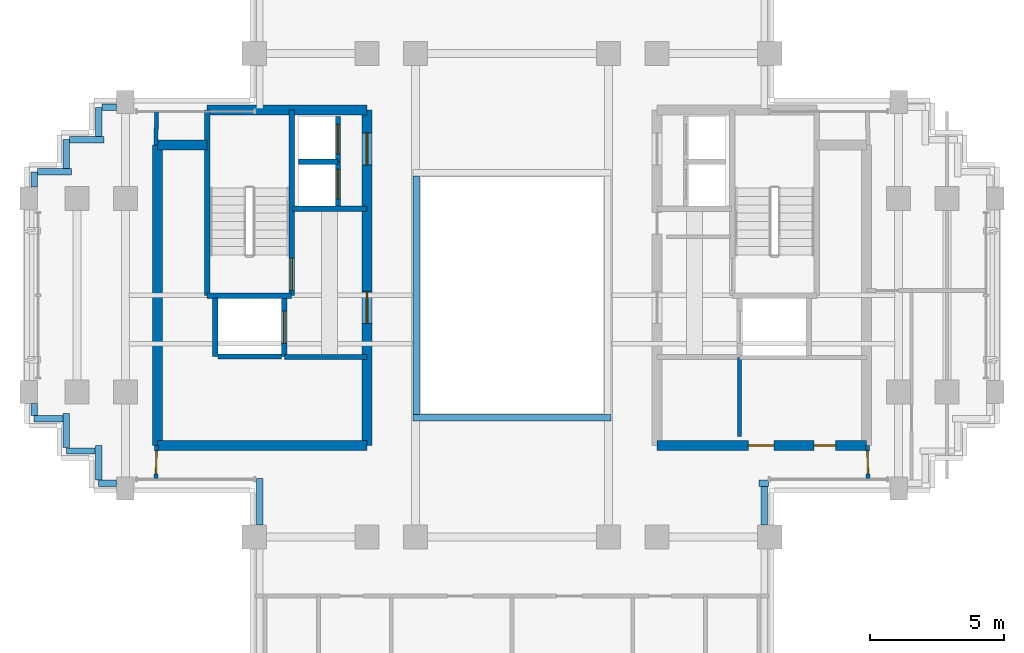
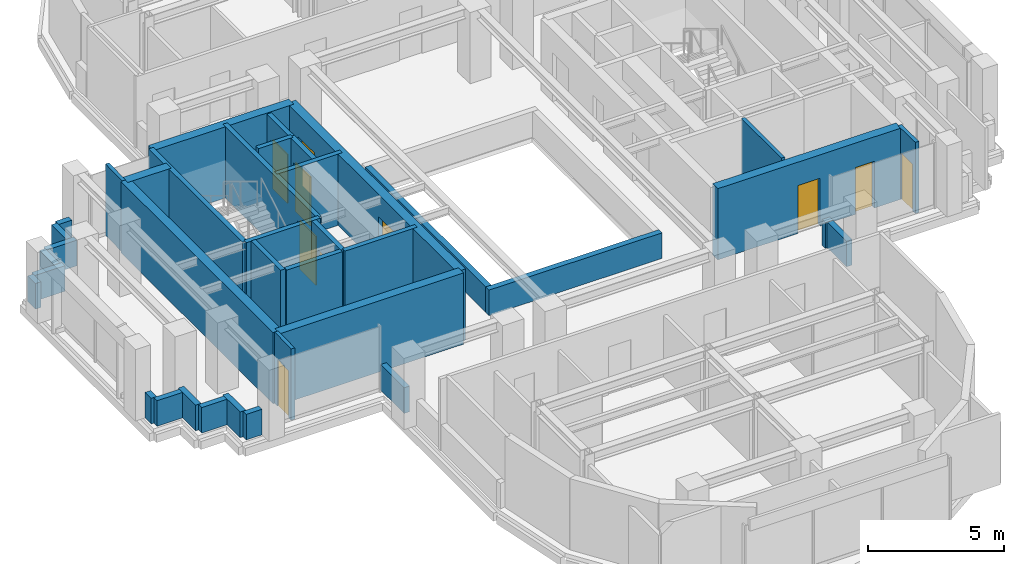
# One storey, part 6 of 11: 38 walls, 10 doors, 10 openings.
"""IFC4 building model written with IfcOpenShell, lengths in metres."""

from ifc_helpers import new_model, si_unit, direction, frame, frame_2d, origin, place, context, subcontext, project, spatial, rectangle, extrude, source, transform, mapped, material, layer, layer_set, type_object, element, fill, save


model = new_model("IFC4")

# Units and contexts
model_context = context("Model", 3, precision=1e-05, world=origin(), true_north=direction((0.0, 1.0)))
body_context = subcontext(model_context, "Body", "Model", "MODEL_VIEW")
ifc_project = project(units=[si_unit("LENGTHUNIT", "METRE"), si_unit("AREAUNIT", "SQUARE_METRE"), si_unit("VOLUMEUNIT", "CUBIC_METRE"), si_unit("PLANEANGLEUNIT", "RADIAN"), si_unit("MASSUNIT", "GRAM", prefix="KILO")], contexts=[model_context])

# Site, building, storey
site_placement = place(None, origin())
site = spatial("IfcSite", under=ifc_project, at=site_placement, CompositionType="ELEMENT")
building_placement = place(site_placement, origin())
building = spatial("IfcBuilding", under=site, at=building_placement, Name="Keilestroom Media Tower", CompositionType="ELEMENT")
storey_placement = place(building_placement, frame((0.0, 0.0, 197.800048828125)))
storey = spatial("IfcBuildingStorey", under=building, at=storey_placement, Name="L54", CompositionType="ELEMENT", Elevation=197.800048828125)

# Walls
ifc_material_1 = material(Name="Gypsum Plasterboard & Steel Stud", Category="steel")
ifc_layer_1 = layer(ifc_material_1, 0.14990234375)
ifc_layer_set_1 = layer_set([ifc_layer_1], Name="Gypsum Plasterboard & Steel Stud")
wall_type_1 = type_object("IfcWallType", Name="Interior-Partition-Wall-150", PredefinedType="PARTITIONING", material=ifc_layer_set_1)
wall_1_placement = place(storey_placement, frame((8.47998046875, -5.260009765625, 0.0), z_axis=(0.0, 0.0, 1.0), x_axis=(0.0, 1.0, 0.0)))
element("IfcWall", 1, at=wall_1_placement, inside=storey, type_object=wall_type_1, Name="L54 Interior Wall WP-L54-RECME-W", PredefinedType="PARTITIONING", context=body_context, shape_type="SweptSolid", body=[
    extrude(rectangle(XDim=2.93994140625, YDim=0.14990234375, at=frame_2d((1.469970703125, 0.0))), origin(), (0.0, 0.0, 1.0), 3.199951171875),
])
wall_2_placement = place(storey_placement, frame((-13.260009765625, 5.60009765625, 0.0), z_axis=(0.0, 0.0, 1.0), x_axis=(0.016013571389, 0.999871774545, 0.0)))
element("IfcWall", 2, at=wall_2_placement, inside=storey, type_object=wall_type_1, Name="L54 Interior Wall WP-L54-HDINE-ENTN", PredefinedType="PARTITIONING", context=body_context, shape_type="SweptSolid", body=[
    extrude(rectangle(XDim=1.250244140625, YDim=0.14990234375, at=frame_2d((0.625, 0.0))), origin(), (0.0, 0.0, 1.0), 3.199951171875),
])

# Wall, opening, door
wall_3_placement = place(storey_placement, frame((-13.260009765625, -6.85009765625, 0.0), z_axis=(0.0, 0.0, 1.0), x_axis=(0.016013571389, 0.999871774545, 0.0)))
wall_3 = element("IfcWall", 3, at=wall_3_placement, inside=storey, type_object=wall_type_1, Name="L54 Interior Wall WP-L54-HDINE-ENTS", PredefinedType="PARTITIONING", context=body_context, shape_type="SweptSolid", body=[
    extrude(rectangle(XDim=1.250244140625, YDim=0.14990234375, at=frame_2d((0.625, 0.0))), origin(), (0.0, 0.0, 1.0), 3.199951171875),
])
opening_1_placement = place(wall_3_placement, frame((0.199951171875, 0.0, 0.0)))
opening_1 = element("IfcOpeningElement", 4, at=opening_1_placement, cuts=wall_3, Name="Opening DI-05", PredefinedType="OPENING", context=body_context, shape_type="SweptSolid", body=[
    extrude(rectangle(XDim=0.85009765625, YDim=2.10009765625, at=frame_2d((0.425048828125, 1.050048828125))), frame((0.0, 0.0849609375, 0.0), z_axis=(0.0, -1.0, 0.0), x_axis=(1.0, 0.0, 0.0)), (0.0, 0.0, 1.0), 0.169921875),
])
ifc_material_2 = material(Name="Moisture-Resistant Oak Leaf", Category="wood")
door_type_1 = type_object("IfcDoorType", Name="Interior-En-Suite-And-Cupboard-Door-DI-05", OperationType="NOTDEFINED", PredefinedType="DOOR", material=ifc_material_2)
shared_shape_1 = source(origin(), body_context, "Body", "SweptSolid", [
    extrude(rectangle(XDim=0.85009765625, YDim=2.10009765625, at=frame_2d((0.425048828125, 1.050048828125))), frame((0.0, 0.02490234375, 0.0), z_axis=(0.0, -1.0, 0.0), x_axis=(1.0, 0.0, 0.0)), (0.0, 0.0, 1.0), 0.050048828125),
])
door_1_placement = place(opening_1_placement, origin())
door_1 = element("IfcDoor", 5, at=door_1_placement, inside=storey, type_object=door_type_1, Name="L54 Interior Door DI-L54-DDINE-W", OperationType="SINGLE_SWING_RIGHT", OverallHeight=2.10009765625, OverallWidth=0.85009765625, PredefinedType="DOOR", context=body_context, shape_type="MappedRepresentation", body=[
    mapped(shared_shape_1, transform((0.0, 0.0, 0.0), x_axis=(1.0, 0.0, 0.0), y_axis=(0.0, 1.0, 0.0), z_axis=(0.0, 0.0, 1.0), scale=1.0)),
])
fill(opening_1, door_1)

wall_4_placement = place(storey_placement, frame((13.260009765625, -6.85009765625, 0.0), z_axis=(0.0, 0.0, 1.0), x_axis=(-0.016013571389, 0.999871774545, 0.0)))
wall_4 = element("IfcWall", 6, at=wall_4_placement, inside=storey, type_object=wall_type_1, Name="L54 Interior Wall WP-L54-HGYM-ENTS", PredefinedType="PARTITIONING", context=body_context, shape_type="SweptSolid", body=[
    extrude(rectangle(XDim=1.250244140625, YDim=0.14990234375, at=frame_2d((0.625, 0.0))), origin(), (0.0, 0.0, 1.0), 3.199951171875),
])
opening_2_placement = place(wall_4_placement, frame((0.199951171875, 0.0, 0.0)))
opening_2 = element("IfcOpeningElement", 7, at=opening_2_placement, cuts=wall_4, Name="Opening DI-05", PredefinedType="OPENING", context=body_context, shape_type="SweptSolid", body=[
    extrude(rectangle(XDim=0.85009765625, YDim=2.10009765625, at=frame_2d((0.425048828125, 1.050048828125))), frame((0.0, 0.0849609375, 0.0), z_axis=(0.0, -1.0, 0.0), x_axis=(1.0, 0.0, 0.0)), (0.0, 0.0, 1.0), 0.169921875),
])
door_2_placement = place(opening_2_placement, origin())
door_2 = element("IfcDoor", 8, at=door_2_placement, inside=storey, type_object=door_type_1, Name="L54 Interior Door DI-L54-DHGYM-ENTS", OperationType="SINGLE_SWING_LEFT", OverallHeight=2.10009765625, OverallWidth=0.85009765625, PredefinedType="DOOR", context=body_context, shape_type="MappedRepresentation", body=[
    mapped(shared_shape_1, transform((0.0, 0.0, 0.0), x_axis=(1.0, 0.0, 0.0), y_axis=(0.0, 1.0, 0.0), z_axis=(0.0, 0.0, 1.0), scale=1.0)),
])
fill(opening_2, door_2)

# Wall
ifc_material_3 = material(Name="Concrete C55/67", Category="concrete")
ifc_layer_2 = layer(ifc_material_3, 0.3798828125)
ifc_layer_set_2 = layer_set([ifc_layer_2], Name="Concrete C55/67")
wall_type_2 = type_object("IfcWallType", Name="Reinforced-Concrete-Core-Shear-Wall-380", PredefinedType="SHEAR", material=ifc_layer_set_2)
wall_5_placement = place(storey_placement, frame((-13.199951171875, -5.60009765625, 0.0), z_axis=(0.0, 0.0, 1.0), x_axis=(0.0, 1.0, 0.0)))
element("IfcWall", 9, at=wall_5_placement, inside=storey, type_object=wall_type_2, Name="L54 Core Shear Wall WL-L54-CORE-W-OUT", PredefinedType="SHEAR", context=body_context, shape_type="SweptSolid", body=[
    extrude(rectangle(XDim=11.2001953125, YDim=0.3798828125, at=frame_2d((5.60009765625, 0.0))), origin(), (0.0, 0.0, 1.0), 3.199951171875),
])

# Wall, openings, doors
wall_6_placement = place(storey_placement, frame((-5.39990234375, -5.60009765625, 0.0), z_axis=(0.0, 0.0, 1.0), x_axis=(0.0, 1.0, 0.0)))
wall_6 = element("IfcWall", 10, at=wall_6_placement, inside=storey, type_object=wall_type_2, Name="L54 Core Shear Wall WL-L54-CORE-W-IN", PredefinedType="SHEAR", context=body_context, shape_type="SweptSolid", body=[
    extrude(rectangle(XDim=12.5, YDim=0.3798828125, at=frame_2d((6.25, 0.0))), origin(), (0.0, 0.0, 1.0), 3.199951171875),
])
opening_3_placement = place(wall_6_placement, frame((4.550048828125, 0.0, 0.0)))
opening_3 = element("IfcOpeningElement", 11, at=opening_3_placement, cuts=wall_6, Name="Opening DI-02", PredefinedType="OPENING", context=body_context, shape_type="SweptSolid", body=[
    extrude(rectangle(XDim=1.199951171875, YDim=2.199951171875, at=frame_2d((0.60009765625, 1.10009765625))), frame((0.0, 0.199951171875, 0.0), z_axis=(0.0, -1.0, 0.0), x_axis=(1.0, 0.0, 0.0)), (0.0, 0.0, 1.0), 0.39990234375),
])
opening_4_placement = place(wall_6_placement, frame((10.449951171875, 0.0, 0.0)))
opening_4 = element("IfcOpeningElement", 12, at=opening_4_placement, cuts=wall_6, Name="Opening DI-02", PredefinedType="OPENING", context=body_context, shape_type="SweptSolid", body=[
    extrude(rectangle(XDim=1.199951171875, YDim=2.199951171875, at=frame_2d((0.60009765625, 1.10009765625))), frame((0.0, 0.199951171875, 0.0), z_axis=(0.0, -1.0, 0.0), x_axis=(1.0, 0.0, 0.0)), (0.0, 0.0, 1.0), 0.39990234375),
])
ifc_material_4 = material(Name="Powder-Coated Steel Fire Leaf", Category="steel")
door_type_2 = type_object("IfcDoorType", Name="Interior-Compartment-Fire-Door-DI-02", OperationType="NOTDEFINED", PredefinedType="DOOR", material=ifc_material_4)
shared_shape_2 = source(origin(), body_context, "Body", "SweptSolid", [
    extrude(rectangle(XDim=1.199951171875, YDim=2.199951171875, at=frame_2d((0.60009765625, 1.10009765625))), frame((0.0, 0.02490234375, 0.0), z_axis=(0.0, -1.0, 0.0), x_axis=(1.0, 0.0, 0.0)), (0.0, 0.0, 1.0), 0.050048828125),
])
door_3_placement = place(opening_3_placement, origin())
door_3 = element("IfcDoor", 13, at=door_3_placement, inside=storey, type_object=door_type_2, Name="L54 W Firefighting Lobby Door", OperationType="SINGLE_SWING_RIGHT", OverallHeight=2.199951171875, OverallWidth=1.199951171875, PredefinedType="DOOR", context=body_context, shape_type="MappedRepresentation", body=[
    mapped(shared_shape_2, transform((0.0, 0.0, 0.0), x_axis=(1.0, 0.0, 0.0), y_axis=(0.0, 1.0, 0.0), z_axis=(0.0, 0.0, 1.0), scale=1.0)),
])
fill(opening_3, door_3)
door_4_placement = place(opening_4_placement, origin())
door_4 = element("IfcDoor", 14, at=door_4_placement, inside=storey, type_object=door_type_2, Name="L54 W High-Rise Lift Lobby Door", OperationType="SINGLE_SWING_LEFT", OverallHeight=2.199951171875, OverallWidth=1.199951171875, PredefinedType="DOOR", context=body_context, shape_type="MappedRepresentation", body=[
    mapped(shared_shape_2, transform((0.0, 0.0, 0.0), x_axis=(1.0, 0.0, 0.0), y_axis=(0.0, 1.0, 0.0), z_axis=(0.0, 0.0, 1.0), scale=1.0)),
])
fill(opening_4, door_4)

# Walls
wall_7_placement = place(storey_placement, frame((-11.35595703125, 6.89990234375, 0.0), z_axis=(0.0, 0.0, 1.0), x_axis=(1.0, 0.0, 0.0)))
element("IfcWall", 15, at=wall_7_placement, inside=storey, type_object=wall_type_2, Name="L54 Core Shear Wall WL-L54-CORE-W-N", PredefinedType="SHEAR", context=body_context, shape_type="SweptSolid", body=[
    extrude(rectangle(XDim=5.9560546875, YDim=0.3798828125, at=frame_2d((2.97802734375, 0.0))), origin(), (0.0, 0.0, 1.0), 3.199951171875),
])
wall_8_placement = place(storey_placement, frame((-13.199951171875, 5.60009765625, 0.0), z_axis=(0.0, 0.0, 1.0), x_axis=(1.0, 0.0, 0.0)))
element("IfcWall", 16, at=wall_8_placement, inside=storey, type_object=wall_type_2, Name="L54 Core Shear Wall WL-L54-CNW-N", PredefinedType="SHEAR", context=body_context, shape_type="SweptSolid", body=[
    extrude(rectangle(XDim=1.843994140625, YDim=0.3798828125, at=frame_2d((0.921875, 0.0))), origin(), (0.0, 0.0, 1.0), 3.199951171875),
])
wall_9_placement = place(storey_placement, frame((-13.199951171875, -5.60009765625, 0.0), z_axis=(0.0, 0.0, 1.0), x_axis=(1.0, 0.0, 0.0)))
element("IfcWall", 17, at=wall_9_placement, inside=storey, type_object=wall_type_2, Name="L54 Core Shear Wall WL-L54-CORE-W-S", PredefinedType="SHEAR", context=body_context, shape_type="SweptSolid", body=[
    extrude(rectangle(XDim=7.800048828125, YDim=0.3798828125, at=frame_2d((3.89990234375, 0.0))), origin(), (0.0, 0.0, 1.0), 3.199951171875),
])

# Wall, openings, doors
wall_10_placement = place(storey_placement, frame((5.39990234375, -5.60009765625, 0.0), z_axis=(0.0, 0.0, 1.0), x_axis=(1.0, 0.0, 0.0)))
wall_10 = element("IfcWall", 18, at=wall_10_placement, inside=storey, type_object=wall_type_2, Name="L54 Core Shear Wall WL-L54-CORE-E-S", PredefinedType="SHEAR", context=body_context, shape_type="SweptSolid", body=[
    extrude(rectangle(XDim=7.800048828125, YDim=0.3798828125, at=frame_2d((3.89990234375, 0.0))), origin(), (0.0, 0.0, 1.0), 3.199951171875),
])
opening_5_placement = place(wall_10_placement, frame((5.85009765625, 0.0, 0.0)))
opening_5 = element("IfcOpeningElement", 19, at=opening_5_placement, cuts=wall_10, Name="Opening DI-06", PredefinedType="OPENING", context=body_context, shape_type="SweptSolid", body=[
    extrude(rectangle(XDim=0.800048828125, YDim=2.10009765625, at=frame_2d((0.39990234375, 1.050048828125))), frame((0.0, 0.199951171875, 0.0), z_axis=(0.0, -1.0, 0.0), x_axis=(1.0, 0.0, 0.0)), (0.0, 0.0, 1.0), 0.39990234375),
])
opening_6_placement = place(wall_10_placement, frame((3.39990234375, 0.0, 0.0)))
opening_6 = element("IfcOpeningElement", 20, at=opening_6_placement, cuts=wall_10, Name="Opening DI-03", PredefinedType="OPENING", context=body_context, shape_type="SweptSolid", body=[
    extrude(rectangle(XDim=0.949951171875, YDim=2.14990234375, at=frame_2d((0.47509765625, 1.074951171875))), frame((0.0, 0.199951171875, 0.0), z_axis=(0.0, -1.0, 0.0), x_axis=(1.0, 0.0, 0.0)), (0.0, 0.0, 1.0), 0.39990234375),
])
ifc_material_5 = material(Name="Powder-Coated Steel Service Leaf", Category="steel")
door_type_3 = type_object("IfcDoorType", Name="Interior-Riser-Access-Door-DI-06", OperationType="NOTDEFINED", PredefinedType="DOOR", material=ifc_material_5)
shared_shape_3 = source(origin(), body_context, "Body", "SweptSolid", [
    extrude(rectangle(XDim=0.800048828125, YDim=2.10009765625, at=frame_2d((0.39990234375, 1.050048828125))), frame((0.0, 0.02490234375, 0.0), z_axis=(0.0, -1.0, 0.0), x_axis=(1.0, 0.0, 0.0)), (0.0, 0.0, 1.0), 0.050048828125),
])
door_5_placement = place(opening_5_placement, origin())
door_5 = element("IfcDoor", 21, at=door_5_placement, inside=storey, type_object=door_type_3, Name="L54 Reclaimed East Core Room Door", OperationType="SINGLE_SWING_RIGHT", OverallHeight=2.10009765625, OverallWidth=0.800048828125, PredefinedType="DOOR", context=body_context, shape_type="MappedRepresentation", body=[
    mapped(shared_shape_3, transform((0.0, 0.0, 0.0), x_axis=(1.0, 0.0, 0.0), y_axis=(0.0, 1.0, 0.0), z_axis=(0.0, 0.0, 1.0), scale=1.0)),
])
fill(opening_5, door_5)
ifc_material_6 = material(Name="Lacquered European Oak Leaf", Category="wood")
door_type_4 = type_object("IfcDoorType", Name="Interior-Room-And-Suite-Door-DI-03", OperationType="NOTDEFINED", PredefinedType="DOOR", material=ifc_material_6)
shared_shape_4 = source(origin(), body_context, "Body", "SweptSolid", [
    extrude(rectangle(XDim=0.949951171875, YDim=2.14990234375, at=frame_2d((0.47509765625, 1.074951171875))), frame((0.0, 0.02490234375, 0.0), z_axis=(0.0, -1.0, 0.0), x_axis=(1.0, 0.0, 0.0)), (0.0, 0.0, 1.0), 0.050048828125),
])
door_6_placement = place(opening_6_placement, origin())
door_6 = element("IfcDoor", 22, at=door_6_placement, inside=storey, type_object=door_type_4, Name="L54 Reclaimed Mid East Room Door", OperationType="SINGLE_SWING_RIGHT", OverallHeight=2.14990234375, OverallWidth=0.949951171875, PredefinedType="DOOR", context=body_context, shape_type="MappedRepresentation", body=[
    mapped(shared_shape_4, transform((0.0, 0.0, 0.0), x_axis=(1.0, 0.0, 0.0), y_axis=(0.0, 1.0, 0.0), z_axis=(0.0, 0.0, 1.0), scale=1.0)),
])
fill(opening_6, door_6)

# Walls
ifc_material_7 = material(Name="Concrete C50/60", Category="concrete")
ifc_layer_3 = layer(ifc_material_7, 0.199951171875)
ifc_layer_set_3 = layer_set([ifc_layer_3], Name="Concrete C50/60")
wall_type_3 = type_object("IfcWallType", Name="Reinforced-Concrete-Shaft-Wall-200", PredefinedType="SOLIDWALL", material=ifc_layer_set_3)
wall_11_placement = place(storey_placement, frame((-8.179931640625, 3.219970703125, 0.0), z_axis=(0.0, 0.0, 1.0), x_axis=(1.0, 0.0, 0.0)))
element("IfcWall", 23, at=wall_11_placement, inside=storey, type_object=wall_type_3, Name="L54 Core Shear Wall WL-L54-CORE-W-FFN", PredefinedType="SOLIDWALL", context=body_context, shape_type="SweptSolid", body=[
    extrude(rectangle(XDim=2.780029296875, YDim=0.199951171875, at=frame_2d((1.39013671875, 0.0))), origin(), (0.0, 0.0, 1.0), 3.199951171875),
])
wall_12_placement = place(storey_placement, frame((-8.47998046875, -2.300048828125, 0.0), z_axis=(0.0, 0.0, 1.0), x_axis=(1.0, 0.0, 0.0)))
element("IfcWall", 24, at=wall_12_placement, inside=storey, type_object=wall_type_3, Name="L54 Core Shear Wall WL-L54-CORE-W-FFS", PredefinedType="SOLIDWALL", context=body_context, shape_type="SweptSolid", body=[
    extrude(rectangle(XDim=3.080078125, YDim=0.199951171875, at=frame_2d((1.5400390625, 0.0))), origin(), (0.0, 0.0, 1.0), 3.199951171875),
])

# Wall, opening, door
wall_13_placement = place(storey_placement, frame((-8.2041015625, -0.01611328125, 0.0), z_axis=(0.0, 0.0, 1.0), x_axis=(0.0, 1.0, 0.0)))
wall_13 = element("IfcWall", 25, at=wall_13_placement, inside=storey, type_object=wall_type_3, Name="L54 Core Shear Wall WL-L54-STW-W-NEAR", PredefinedType="SOLIDWALL", context=body_context, shape_type="SweptSolid", body=[
    extrude(rectangle(XDim=6.916015625, YDim=0.199951171875, at=frame_2d((3.4580078125, 0.0))), origin(), (0.0, 0.0, 1.0), 3.199951171875),
])
opening_7_placement = place(wall_13_placement, frame((0.199951171875, 0.0, 0.0)))
opening_7 = element("IfcOpeningElement", 26, at=opening_7_placement, cuts=wall_13, Name="Opening DI-01S", PredefinedType="OPENING", context=body_context, shape_type="SweptSolid", body=[
    extrude(rectangle(XDim=1.199951171875, YDim=2.199951171875, at=frame_2d((0.60009765625, 1.10009765625))), frame((0.0, 0.10986328125, 0.0), z_axis=(0.0, -1.0, 0.0), x_axis=(1.0, 0.0, 0.0)), (0.0, 0.0, 1.0), 0.219970703125),
])
door_type_5 = type_object("IfcDoorType", Name="Interior-Stair-And-Core-Fire-Door-DI-01", OperationType="NOTDEFINED", PredefinedType="DOOR", material=ifc_material_4)
door_7_placement = place(opening_7_placement, origin())
door_7 = element("IfcDoor", 27, at=door_7_placement, inside=storey, type_object=door_type_5, Name="L54 Escape Stair ST-1 Fire Door", OperationType="SINGLE_SWING_LEFT", OverallHeight=2.199951171875, OverallWidth=1.199951171875, PredefinedType="DOOR", context=body_context, shape_type="MappedRepresentation", body=[
    mapped(shared_shape_2, transform((0.0, 0.0, 0.0), x_axis=(1.0, 0.0, 0.0), y_axis=(0.0, 1.0, 0.0), z_axis=(0.0, 0.0, 1.0), scale=1.0)),
])
fill(opening_7, door_7)

# Walls
wall_14_placement = place(storey_placement, frame((-11.35595703125, -0.01611328125, 0.0), z_axis=(0.0, 0.0, 1.0), x_axis=(0.0, 1.0, 0.0)))
element("IfcWall", 28, at=wall_14_placement, inside=storey, type_object=wall_type_3, Name="L54 Core Shear Wall WL-L54-STW-W-FAR", PredefinedType="SOLIDWALL", context=body_context, shape_type="SweptSolid", body=[
    extrude(rectangle(XDim=6.916015625, YDim=0.199951171875, at=frame_2d((3.4580078125, 0.0))), origin(), (0.0, 0.0, 1.0), 3.199951171875),
])
wall_15_placement = place(storey_placement, frame((-11.35595703125, -0.01611328125, 0.0), z_axis=(0.0, 0.0, 1.0), x_axis=(1.0, 0.0, 0.0)))
element("IfcWall", 29, at=wall_15_placement, inside=storey, type_object=wall_type_3, Name="L54 Core Shear Wall WL-L54-STW-W-S", PredefinedType="SOLIDWALL", context=body_context, shape_type="SweptSolid", body=[
    extrude(rectangle(XDim=3.15185546875, YDim=0.199951171875, at=frame_2d((1.575927734375, 0.0))), origin(), (0.0, 0.0, 1.0), 3.199951171875),
])
wall_16_placement = place(storey_placement, frame((-11.050048828125, -2.280029296875, 0.0), z_axis=(0.0, 0.0, 1.0), x_axis=(0.0, 1.0, 0.0)))
element("IfcWall", 30, at=wall_16_placement, inside=storey, type_object=wall_type_3, Name="L54 Core Shear Wall WL-L54-LSH-FFL-1-W", PredefinedType="SOLIDWALL", context=body_context, shape_type="SweptSolid", body=[
    extrude(rectangle(XDim=2.179931640625, YDim=0.199951171875, at=frame_2d((1.08984375, 0.0))), origin(), (0.0, 0.0, 1.0), 3.199951171875),
])

# Wall, opening, door
wall_17_placement = place(storey_placement, frame((-8.47998046875, -2.280029296875, 0.0), z_axis=(0.0, 0.0, 1.0), x_axis=(0.0, 1.0, 0.0)))
wall_17 = element("IfcWall", 31, at=wall_17_placement, inside=storey, type_object=wall_type_3, Name="L54 Core Shear Wall WL-L54-LSH-FFL-1-E", PredefinedType="SOLIDWALL", context=body_context, shape_type="SweptSolid", body=[
    extrude(rectangle(XDim=2.179931640625, YDim=0.199951171875, at=frame_2d((1.08984375, 0.0))), origin(), (0.0, 0.0, 1.0), 3.199951171875),
])
opening_8_placement = place(wall_17_placement, frame((0.489990234375, 0.0, 0.0)))
opening_8 = element("IfcOpeningElement", 32, at=opening_8_placement, cuts=wall_17, Name="Opening LD-02", PredefinedType="OPENING", context=body_context, shape_type="SweptSolid", body=[
    extrude(rectangle(XDim=1.199951171875, YDim=2.199951171875, at=frame_2d((0.60009765625, 1.10009765625))), frame((0.0, 0.10986328125, 0.0), z_axis=(0.0, -1.0, 0.0), x_axis=(1.0, 0.0, 0.0)), (0.0, 0.0, 1.0), 0.219970703125),
])
ifc_material_8 = material(Name="Brushed Stainless Steel Sliding Leaf", Category="steel")
door_type_6 = type_object("IfcDoorType", Name="Lift-Landing-Sliding-Door-LD-02", OperationType="SLIDING_TO_RIGHT", PredefinedType="DOOR", material=ifc_material_8)
door_8_placement = place(opening_8_placement, origin())
door_8 = element("IfcDoor", 33, at=door_8_placement, inside=storey, type_object=door_type_6, Name="L54 Lift FFL-1 Landing Sliding Door", OperationType="SLIDING_TO_RIGHT", OverallHeight=2.199951171875, OverallWidth=1.199951171875, PredefinedType="DOOR", context=body_context, shape_type="MappedRepresentation", body=[
    mapped(shared_shape_2, transform((0.0, 0.0, 0.0), x_axis=(1.0, 0.0, 0.0), y_axis=(0.0, 1.0, 0.0), z_axis=(0.0, 0.0, 1.0), scale=1.0)),
])
fill(opening_8, door_8)

# Wall
wall_18_placement = place(storey_placement, frame((-10.946044921875, -2.280029296875, 0.0), z_axis=(0.0, 0.0, 1.0), x_axis=(1.0, 0.0, 0.0)))
element("IfcWall", 34, at=wall_18_placement, inside=storey, type_object=wall_type_3, Name="L54 Core Shear Wall WL-L54-LSH-FFL-1-S", PredefinedType="SOLIDWALL", context=body_context, shape_type="SweptSolid", body=[
    extrude(rectangle(XDim=2.362060546875, YDim=0.199951171875, at=frame_2d((1.18115234375, 0.0))), origin(), (0.0, 0.0, 1.0), 3.199951171875),
])

# Wall, opening, door
wall_19_placement = place(storey_placement, frame((-6.47998046875, 3.300048828125, 0.0), z_axis=(0.0, 0.0, 1.0), x_axis=(0.0, 1.0, 0.0)))
wall_19 = element("IfcWall", 35, at=wall_19_placement, inside=storey, type_object=wall_type_3, Name="L54 Core Shear Wall WL-L54-LSH-PL-H1-E", PredefinedType="SOLIDWALL", context=body_context, shape_type="SweptSolid", body=[
    extrude(rectangle(XDim=1.679931640625, YDim=0.199951171875, at=frame_2d((0.83984375, 0.0))), origin(), (0.0, 0.0, 1.0), 3.199951171875),
])
opening_9_placement = place(wall_19_placement, frame((0.2900390625, 0.0, 0.0)))
opening_9 = element("IfcOpeningElement", 36, at=opening_9_placement, cuts=wall_19, Name="Opening LD-01", PredefinedType="OPENING", context=body_context, shape_type="SweptSolid", body=[
    extrude(rectangle(XDim=1.10009765625, YDim=2.199951171875, at=frame_2d((0.550048828125, 1.10009765625))), frame((0.0, 0.10986328125, 0.0), z_axis=(0.0, -1.0, 0.0), x_axis=(1.0, 0.0, 0.0)), (0.0, 0.0, 1.0), 0.219970703125),
])
door_type_7 = type_object("IfcDoorType", Name="Lift-Landing-Sliding-Door-LD-01", OperationType="SLIDING_TO_LEFT", PredefinedType="DOOR", material=ifc_material_8)
shared_shape_5 = source(origin(), body_context, "Body", "SweptSolid", [
    extrude(rectangle(XDim=1.10009765625, YDim=2.199951171875, at=frame_2d((0.550048828125, 1.10009765625))), frame((0.0, 0.02490234375, 0.0), z_axis=(0.0, -1.0, 0.0), x_axis=(1.0, 0.0, 0.0)), (0.0, 0.0, 1.0), 0.050048828125),
])
door_9_placement = place(opening_9_placement, origin())
door_9 = element("IfcDoor", 37, at=door_9_placement, inside=storey, type_object=door_type_7, Name="L54 Lift PL-H1 Landing Sliding Door", OperationType="SLIDING_TO_LEFT", OverallHeight=2.199951171875, OverallWidth=1.10009765625, PredefinedType="DOOR", context=body_context, shape_type="MappedRepresentation", body=[
    mapped(shared_shape_5, transform((0.0, 0.0, 0.0), x_axis=(1.0, 0.0, 0.0), y_axis=(0.0, 1.0, 0.0), z_axis=(0.0, 0.0, 1.0), scale=1.0)),
])
fill(opening_9, door_9)

# Wall
wall_20_placement = place(storey_placement, frame((-7.949951171875, 4.97998046875, 0.0), z_axis=(0.0, 0.0, 1.0), x_axis=(1.0, 0.0, 0.0)))
element("IfcWall", 38, at=wall_20_placement, inside=storey, type_object=wall_type_3, Name="L54 Core Shear Wall WL-L54-LSH-PL-H1-N", PredefinedType="SOLIDWALL", context=body_context, shape_type="SweptSolid", body=[
    extrude(rectangle(XDim=1.469970703125, YDim=0.199951171875, at=frame_2d((0.73486328125, 0.0))), origin(), (0.0, 0.0, 1.0), 3.199951171875),
])

# Wall, opening, door
wall_21_placement = place(storey_placement, frame((-6.47998046875, 4.97998046875, 0.0), z_axis=(0.0, 0.0, 1.0), x_axis=(0.0, 1.0, 0.0)))
wall_21 = element("IfcWall", 39, at=wall_21_placement, inside=storey, type_object=wall_type_3, Name="L54 Core Shear Wall WL-L54-LSH-PL-H2-E", PredefinedType="SOLIDWALL", context=body_context, shape_type="SweptSolid", body=[
    extrude(rectangle(XDim=1.669921875, YDim=0.199951171875, at=frame_2d((0.8349609375, 0.0))), origin(), (0.0, 0.0, 1.0), 3.199951171875),
])
opening_10_placement = place(wall_21_placement, frame((0.284912109375, 0.0, 0.0)))
opening_10 = element("IfcOpeningElement", 40, at=opening_10_placement, cuts=wall_21, Name="Opening LD-01", PredefinedType="OPENING", context=body_context, shape_type="SweptSolid", body=[
    extrude(rectangle(XDim=1.10009765625, YDim=2.199951171875, at=frame_2d((0.550048828125, 1.10009765625))), frame((0.0, 0.10986328125, 0.0), z_axis=(0.0, -1.0, 0.0), x_axis=(1.0, 0.0, 0.0)), (0.0, 0.0, 1.0), 0.219970703125),
])
door_10_placement = place(opening_10_placement, origin())
door_10 = element("IfcDoor", 41, at=door_10_placement, inside=storey, type_object=door_type_7, Name="L54 Lift PL-H2 Landing Sliding Door", OperationType="SLIDING_TO_LEFT", OverallHeight=2.199951171875, OverallWidth=1.10009765625, PredefinedType="DOOR", context=body_context, shape_type="MappedRepresentation", body=[
    mapped(shared_shape_5, transform((0.0, 0.0, 0.0), x_axis=(1.0, 0.0, 0.0), y_axis=(0.0, 1.0, 0.0), z_axis=(0.0, 0.0, 1.0), scale=1.0)),
])
fill(opening_10, door_10)

# Walls
ifc_material_9 = material(Name="Precast concrete C40/50", Category="concrete")
ifc_layer_4 = layer(ifc_material_9, 0.239990234375)
ifc_layer_set_4 = layer_set([ifc_layer_4], Name="Precast concrete C40/50")
wall_type_4 = type_object("IfcWallType", Name="Roof-And-Terrace-Parapet-Wall-240", PredefinedType="PARAPET", material=ifc_layer_set_4)
wall_22_placement = place(storey_placement, frame((9.547119140625, -7.0, 0.0), z_axis=(0.0, 0.0, 1.0), x_axis=(-1.0, 0.0, 0.0)))
element("IfcWall", 42, at=wall_22_placement, inside=storey, type_object=wall_type_4, Name="L54 Perimeter Edge Parapet Wall 07", PredefinedType="PARAPET", context=body_context, shape_type="SweptSolid", body=[
    extrude(rectangle(XDim=0.34716796875, YDim=0.239990234375, at=frame_2d((0.173583984375, 0.0))), origin(), (0.0, 0.0, 1.0), 1.14990234375),
])
wall_23_placement = place(storey_placement, frame((9.39990234375, -7.123046875, 0.0), z_axis=(0.0, 0.0, 1.0), x_axis=(0.0, -1.0, 0.0)))
element("IfcWall", 43, at=wall_23_placement, inside=storey, type_object=wall_type_4, Name="L54 Perimeter Edge Parapet Wall 08", PredefinedType="PARAPET", context=body_context, shape_type="SweptSolid", body=[
    extrude(rectangle(XDim=1.424072265625, YDim=0.239990234375, at=frame_2d((0.7119140625, 0.0))), origin(), (0.0, 0.0, 1.0), 1.14990234375),
])
wall_24_placement = place(storey_placement, frame((-9.39990234375, -8.547119140625, 0.0), z_axis=(0.0, 0.0, 1.0), x_axis=(0.0, 1.0, 0.0)))
element("IfcWall", 44, at=wall_24_placement, inside=storey, type_object=wall_type_4, Name="L54 Perimeter Edge Parapet Wall 14", PredefinedType="PARAPET", context=body_context, shape_type="SweptSolid", body=[
    extrude(rectangle(XDim=1.728271484375, YDim=0.239990234375, at=frame_2d((0.8642578125, 0.0))), origin(), (0.0, 0.0, 1.0), 1.14990234375),
])
wall_25_placement = place(storey_placement, frame((-14.72802734375, -7.0, 0.0), z_axis=(0.0, 0.0, 1.0), x_axis=(-1.0, 0.0, 0.0)))
element("IfcWall", 45, at=wall_25_placement, inside=storey, type_object=wall_type_4, Name="L54 Perimeter Edge Parapet Wall 15", PredefinedType="PARAPET", context=body_context, shape_type="SweptSolid", body=[
    extrude(rectangle(XDim=0.671875, YDim=0.239990234375, at=frame_2d((0.3359375, 0.0))), origin(), (0.0, 0.0, 1.0), 1.14990234375),
])
wall_26_placement = place(storey_placement, frame((-15.39990234375, -6.876953125, 0.0), z_axis=(0.0, 0.0, 1.0), x_axis=(0.0, 1.0, 0.0)))
element("IfcWall", 46, at=wall_26_placement, inside=storey, type_object=wall_type_4, Name="L54 Perimeter Edge Parapet Wall 16", PredefinedType="PARAPET", context=body_context, shape_type="SweptSolid", body=[
    extrude(rectangle(XDim=1.27685546875, YDim=0.239990234375, at=frame_2d((0.638427734375, 0.0))), origin(), (0.0, 0.0, 1.0), 1.14990234375),
])
wall_27_placement = place(storey_placement, frame((-15.52294921875, -5.800048828125, 0.0), z_axis=(0.0, 0.0, 1.0), x_axis=(-1.0, 0.0, 0.0)))
element("IfcWall", 47, at=wall_27_placement, inside=storey, type_object=wall_type_4, Name="L54 Perimeter Edge Parapet Wall 17", PredefinedType="PARAPET", context=body_context, shape_type="SweptSolid", body=[
    extrude(rectangle(XDim=1.0771484375, YDim=0.239990234375, at=frame_2d((0.53857421875, 0.0))), origin(), (0.0, 0.0, 1.0), 1.14990234375),
])
wall_28_placement = place(storey_placement, frame((-16.60009765625, -5.677001953125, 0.0), z_axis=(0.0, 0.0, 1.0), x_axis=(0.0, 1.0, 0.0)))
element("IfcWall", 48, at=wall_28_placement, inside=storey, type_object=wall_type_4, Name="L54 Perimeter Edge Parapet Wall 18", PredefinedType="PARAPET", context=body_context, shape_type="SweptSolid", body=[
    extrude(rectangle(XDim=1.277099609375, YDim=0.239990234375, at=frame_2d((0.638671875, 0.0))), origin(), (0.0, 0.0, 1.0), 1.14990234375),
])
wall_29_placement = place(storey_placement, frame((-16.722900390625, -4.60009765625, 0.0), z_axis=(0.0, 0.0, 1.0), x_axis=(-1.0, 0.0, 0.0)))
element("IfcWall", 49, at=wall_29_placement, inside=storey, type_object=wall_type_4, Name="L54 Perimeter Edge Parapet Wall 19", PredefinedType="PARAPET", context=body_context, shape_type="SweptSolid", body=[
    extrude(rectangle(XDim=1.0771484375, YDim=0.239990234375, at=frame_2d((0.53857421875, 0.0))), origin(), (0.0, 0.0, 1.0), 1.14990234375),
])
wall_30_placement = place(storey_placement, frame((-17.800048828125, -4.47705078125, 0.0), z_axis=(0.0, 0.0, 1.0), x_axis=(0.0, 1.0, 0.0)))
element("IfcWall", 50, at=wall_30_placement, inside=storey, type_object=wall_type_4, Name="L54 Perimeter Edge Parapet Wall 20", PredefinedType="PARAPET", context=body_context, shape_type="SweptSolid", body=[
    extrude(rectangle(XDim=0.448974609375, YDim=0.239990234375, at=frame_2d((0.224609375, 0.0))), origin(), (0.0, 0.0, 1.0), 1.14990234375),
])
wall_31_placement = place(storey_placement, frame((-17.800048828125, 4.028076171875, 0.0), z_axis=(0.0, 0.0, 1.0), x_axis=(0.0, 1.0, 0.0)))
element("IfcWall", 51, at=wall_31_placement, inside=storey, type_object=wall_type_4, Name="L54 Perimeter Edge Parapet Wall 21", PredefinedType="PARAPET", context=body_context, shape_type="SweptSolid", body=[
    extrude(rectangle(XDim=0.572021484375, YDim=0.239990234375, at=frame_2d((0.2861328125, 0.0))), origin(), (0.0, 0.0, 1.0), 1.14990234375),
])
wall_32_placement = place(storey_placement, frame((-17.677001953125, 4.60009765625, 0.0), z_axis=(0.0, 0.0, 1.0), x_axis=(1.0, 0.0, 0.0)))
element("IfcWall", 52, at=wall_32_placement, inside=storey, type_object=wall_type_4, Name="L54 Perimeter Edge Parapet Wall 22", PredefinedType="PARAPET", context=body_context, shape_type="SweptSolid", body=[
    extrude(rectangle(XDim=1.277099609375, YDim=0.239990234375, at=frame_2d((0.638671875, 0.0))), origin(), (0.0, 0.0, 1.0), 1.14990234375),
])
wall_33_placement = place(storey_placement, frame((-16.60009765625, 4.722900390625, 0.0), z_axis=(0.0, 0.0, 1.0), x_axis=(0.0, 1.0, 0.0)))
element("IfcWall", 53, at=wall_33_placement, inside=storey, type_object=wall_type_4, Name="L54 Perimeter Edge Parapet Wall 23", PredefinedType="PARAPET", context=body_context, shape_type="SweptSolid", body=[
    extrude(rectangle(XDim=1.0771484375, YDim=0.239990234375, at=frame_2d((0.53857421875, 0.0))), origin(), (0.0, 0.0, 1.0), 1.14990234375),
])
wall_34_placement = place(storey_placement, frame((-16.47705078125, 5.800048828125, 0.0), z_axis=(0.0, 0.0, 1.0), x_axis=(1.0, 0.0, 0.0)))
element("IfcWall", 54, at=wall_34_placement, inside=storey, type_object=wall_type_4, Name="L54 Perimeter Edge Parapet Wall 24", PredefinedType="PARAPET", context=body_context, shape_type="SweptSolid", body=[
    extrude(rectangle(XDim=1.277099609375, YDim=0.239990234375, at=frame_2d((0.638671875, 0.0))), origin(), (0.0, 0.0, 1.0), 1.14990234375),
])
wall_35_placement = place(storey_placement, frame((-15.39990234375, 5.923095703125, 0.0), z_axis=(0.0, 0.0, 1.0), x_axis=(0.0, 1.0, 0.0)))
element("IfcWall", 55, at=wall_35_placement, inside=storey, type_object=wall_type_4, Name="L54 Perimeter Edge Parapet Wall 25", PredefinedType="PARAPET", context=body_context, shape_type="SweptSolid", body=[
    extrude(rectangle(XDim=1.076904296875, YDim=0.239990234375, at=frame_2d((0.53857421875, 0.0))), origin(), (0.0, 0.0, 1.0), 1.14990234375),
])
wall_36_placement = place(storey_placement, frame((-15.277099609375, 7.0, 0.0), z_axis=(0.0, 0.0, 1.0), x_axis=(1.0, 0.0, 0.0)))
element("IfcWall", 56, at=wall_36_placement, inside=storey, type_object=wall_type_4, Name="L54 Perimeter Edge Parapet Wall 26", PredefinedType="PARAPET", context=body_context, shape_type="SweptSolid", body=[
    extrude(rectangle(XDim=0.549072265625, YDim=0.239990234375, at=frame_2d((0.2744140625, 0.0))), origin(), (0.0, 0.0, 1.0), 1.14990234375),
])
wall_37_placement = place(storey_placement, frame((-3.679931640625, -4.56005859375, 0.0), z_axis=(0.0, 0.0, 1.0), x_axis=(1.0, 0.0, 0.0)))
element("IfcWall", 57, at=wall_37_placement, inside=storey, type_object=wall_type_4, Name="L54 Central Atrium Guard Parapet S", PredefinedType="PARAPET", context=body_context, shape_type="SweptSolid", body=[
    extrude(rectangle(XDim=7.35986328125, YDim=0.239990234375, at=frame_2d((3.679931640625, 0.0))), origin(), (0.0, 0.0, 1.0), 1.14990234375),
])
wall_38_placement = place(storey_placement, frame((-3.56005859375, -4.43505859375, 0.0), z_axis=(0.0, 0.0, 1.0), x_axis=(0.0, 1.0, 0.0)))
element("IfcWall", 58, at=wall_38_placement, inside=storey, type_object=wall_type_4, Name="L54 Central Atrium Guard Parapet W", PredefinedType="PARAPET", context=body_context, shape_type="SweptSolid", body=[
    extrude(rectangle(XDim=8.8701171875, YDim=0.239990234375, at=frame_2d((4.43505859375, 0.0))), origin(), (0.0, 0.0, 1.0), 1.14990234375),
])

save(model, "model.ifc")
